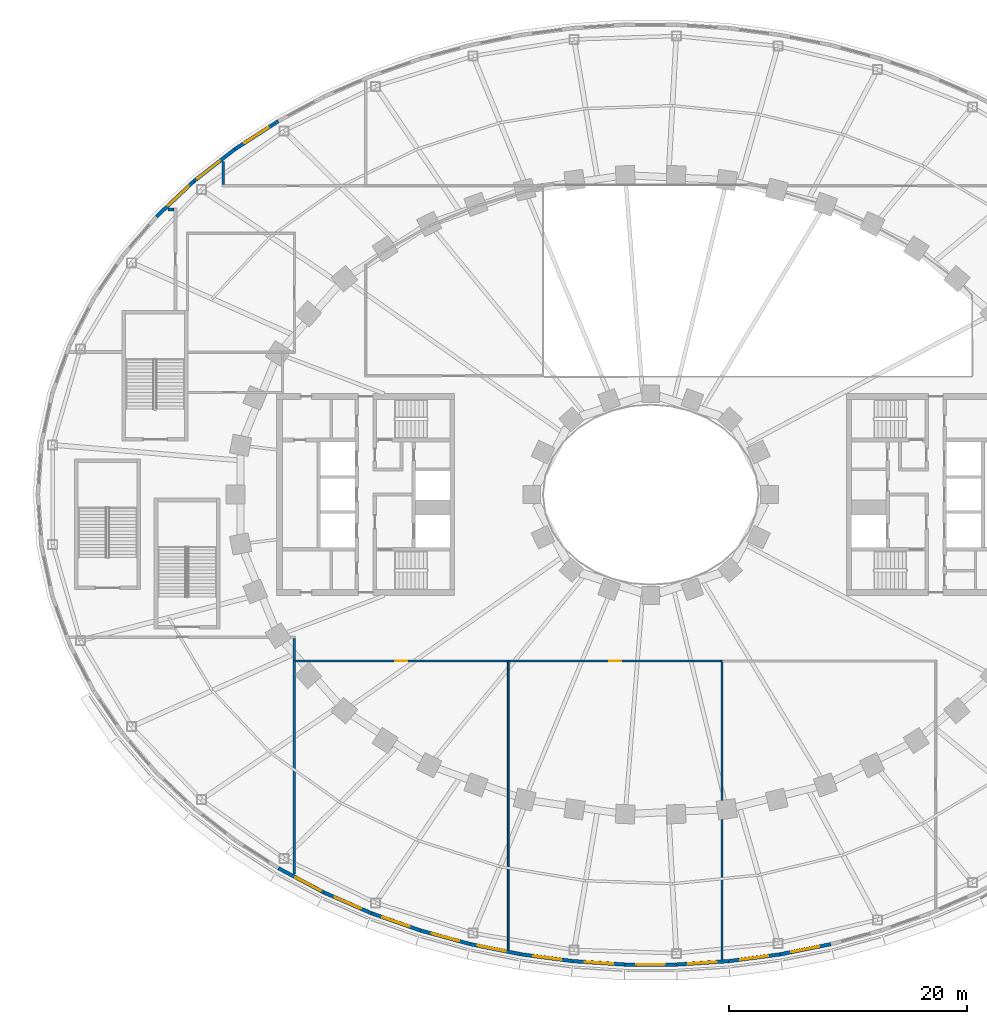
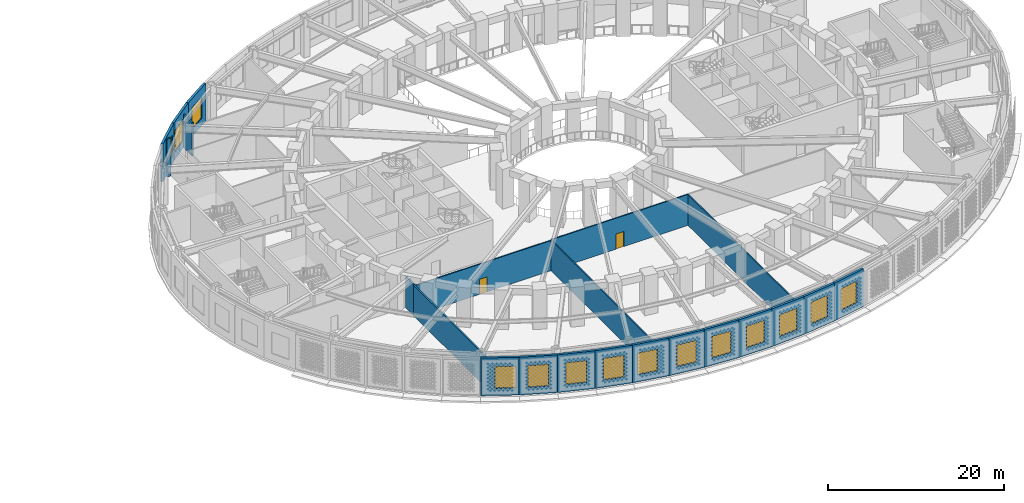
# One storey, part 16 of 69: 22 walls, 14 windows, 2 doors, 16 openings.
"""IFC4 building model written with IfcOpenShell, lengths in metres."""

from ifc_helpers import new_model, si_unit, direction, frame, frame_2d, origin, place, context, subcontext, project, spatial, rectangle, extrude, material, layer, layer_set, type_object, element, fill, save


model = new_model("IFC4")

# Units and contexts
model_context = context("Model", 3, precision=1e-05, world=origin(), true_north=direction((0.0, 1.0)))
body_context = subcontext(model_context, "Body", "Model", "MODEL_VIEW")
ifc_project = project(units=[si_unit("LENGTHUNIT", "METRE"), si_unit("AREAUNIT", "SQUARE_METRE"), si_unit("VOLUMEUNIT", "CUBIC_METRE"), si_unit("PLANEANGLEUNIT", "RADIAN"), si_unit("MASSUNIT", "GRAM", prefix="KILO")], contexts=[model_context])

# Site, building, storey
site_placement = place(None, origin())
site = spatial("IfcSite", under=ifc_project, at=site_placement, CompositionType="ELEMENT")
building_placement = place(site_placement, origin())
building = spatial("IfcBuilding", under=site, at=building_placement, Name="Noorbagh Ring Tower", CompositionType="ELEMENT")
storey_placement = place(building_placement, frame((0.0, 0.0, 19.5)))
storey = spatial("IfcBuildingStorey", under=building, at=storey_placement, Name="L03", CompositionType="ELEMENT", Elevation=19.5)

# Wall, opening, window
ifc_material_1 = material(Name="Blockwork faced with red sandstone", Category="masonry")
ifc_layer_1 = layer(ifc_material_1, 0.300048828125)
ifc_layer_set_1 = layer_set([ifc_layer_1], Name="Blockwork faced with red sandstone")
wall_type_1 = type_object("IfcWallType", Name="GND-ENV-WALL", PredefinedType="SOLIDWALL", material=ifc_layer_set_1)
wall_1_placement = place(storey_placement, frame((-31.3515625, 31.448486328125, 0.0), z_axis=(0.0, 0.0, 1.0), x_axis=(-0.840047348843, -0.542513088969, 0.0)))
wall_1 = element("IfcWall", 1, at=wall_1_placement, inside=storey, type_object=wall_type_1, Name="Podium wall", PredefinedType="SOLIDWALL", context=body_context, shape_type="SweptSolid", body=[
    extrude(rectangle(XDim=4.362060546875, YDim=0.300048828125, at=frame_2d((2.18115234375, 0.0))), origin(), (0.0, 0.0, 1.0), 5.25),
])
opening_1_placement = place(wall_1_placement, frame((0.98095703125, 0.0, 1.0)))
opening_1 = element("IfcOpeningElement", 2, at=opening_1_placement, cuts=wall_1, Name="Opening GWN1", PredefinedType="OPENING", context=body_context, shape_type="SweptSolid", body=[
    extrude(rectangle(XDim=2.39990234375, YDim=3.0, at=frame_2d((1.199951171875, 1.5))), frame((0.0, 0.16015625, 0.0), z_axis=(0.0, -1.0, 0.0), x_axis=(1.0, 0.0, 0.0)), (0.0, 0.0, 1.0), 0.320068359375),
])
ifc_material_2 = material(Name="Aluminium and glass", Category="aluminium")
window_type = type_object("IfcWindowType", Name="GND-ENV-WINDOW", PartitioningType="SINGLE_PANEL", PredefinedType="WINDOW", material=ifc_material_2)
window_1_placement = place(opening_1_placement, origin())
window_1 = element("IfcWindow", 3, at=window_1_placement, inside=storey, type_object=window_type, Name="L03 podium window", OverallHeight=3.0, OverallWidth=2.39990234375, PartitioningType="SINGLE_PANEL", PredefinedType="WINDOW", context=body_context, shape_type="SweptSolid", body=[
    extrude(rectangle(XDim=2.39990234375, YDim=3.0, at=frame_2d((1.199951171875, 1.5))), frame((0.0, 0.030029296875, 0.0), z_axis=(0.0, -1.0, 0.0), x_axis=(1.0, 0.0, 0.0)), (0.0, 0.0, 1.0), 0.06005859375),
])
fill(opening_1, window_1)

wall_2_placement = place(storey_placement, frame((-35.015869140625, 29.08203125, 0.0), z_axis=(0.0, 0.0, 1.0), x_axis=(-0.788491985196, -0.615045030288, 0.0)))
wall_2 = element("IfcWall", 4, at=wall_2_placement, inside=storey, type_object=wall_type_1, Name="Podium wall", PredefinedType="SOLIDWALL", context=body_context, shape_type="SweptSolid", body=[
    extrude(rectangle(XDim=4.359375, YDim=0.300048828125, at=frame_2d((2.1796875, 0.0))), origin(), (0.0, 0.0, 1.0), 5.25),
])
opening_2_placement = place(wall_2_placement, frame((1.609619140625, 0.0, 1.0)))
opening_2 = element("IfcOpeningElement", 5, at=opening_2_placement, cuts=wall_2, Name="Opening GWN1", PredefinedType="OPENING", context=body_context, shape_type="SweptSolid", body=[
    extrude(rectangle(XDim=2.39990234375, YDim=3.0, at=frame_2d((1.199951171875, 1.5))), frame((0.0, 0.16015625, 0.0), z_axis=(0.0, -1.0, 0.0), x_axis=(1.0, 0.0, 0.0)), (0.0, 0.0, 1.0), 0.320068359375),
])
window_2_placement = place(opening_2_placement, origin())
window_2 = element("IfcWindow", 6, at=window_2_placement, inside=storey, type_object=window_type, Name="L03 podium window", OverallHeight=3.0, OverallWidth=2.39990234375, PartitioningType="SINGLE_PANEL", PredefinedType="WINDOW", context=body_context, shape_type="SweptSolid", body=[
    extrude(rectangle(XDim=2.39990234375, YDim=3.0, at=frame_2d((1.199951171875, 1.5))), frame((0.0, 0.030029296875, 0.0), z_axis=(0.0, -1.0, 0.0), x_axis=(1.0, 0.0, 0.0)), (0.0, 0.0, 1.0), 0.06005859375),
])
fill(opening_2, window_2)

wall_3_placement = place(storey_placement, frame((-38.453125, 26.40087890625, 0.0), z_axis=(0.0, 0.0, 1.0), x_axis=(-0.72620446032, -0.687478786444, 0.0)))
wall_3 = element("IfcWall", 7, at=wall_3_placement, inside=storey, type_object=wall_type_1, Name="Podium wall", PredefinedType="SOLIDWALL", context=body_context, shape_type="SweptSolid", body=[
    extrude(rectangle(XDim=4.356201171875, YDim=0.300048828125, at=frame_2d((2.17822265625, 0.0))), origin(), (0.0, 0.0, 1.0), 5.25),
])
opening_3_placement = place(wall_3_placement, frame((0.608154296875, 0.0, 1.0)))
opening_3 = element("IfcOpeningElement", 8, at=opening_3_placement, cuts=wall_3, Name="Opening GWN1", PredefinedType="OPENING", context=body_context, shape_type="SweptSolid", body=[
    extrude(rectangle(XDim=2.39990234375, YDim=3.0, at=frame_2d((1.199951171875, 1.5))), frame((0.0, 0.16015625, 0.0), z_axis=(0.0, -1.0, 0.0), x_axis=(1.0, 0.0, 0.0)), (0.0, 0.0, 1.0), 0.320068359375),
])
window_3_placement = place(opening_3_placement, origin())
window_3 = element("IfcWindow", 9, at=window_3_placement, inside=storey, type_object=window_type, Name="L03 podium window", OverallHeight=3.0, OverallWidth=2.39990234375, PartitioningType="SINGLE_PANEL", PredefinedType="WINDOW", context=body_context, shape_type="SweptSolid", body=[
    extrude(rectangle(XDim=2.39990234375, YDim=3.0, at=frame_2d((1.199951171875, 1.5))), frame((0.0, 0.030029296875, 0.0), z_axis=(0.0, -1.0, 0.0), x_axis=(1.0, 0.0, 0.0)), (0.0, 0.0, 1.0), 0.06005859375),
])
fill(opening_3, window_3)

wall_4_placement = place(storey_placement, frame((-31.3515625, -31.448486328125, 0.0), z_axis=(0.0, 0.0, 1.0), x_axis=(0.882159305704, -0.47095112205, 0.0)))
wall_4 = element("IfcWall", 10, at=wall_4_placement, inside=storey, type_object=wall_type_1, Name="Podium wall", PredefinedType="SOLIDWALL", context=body_context, shape_type="SweptSolid", body=[
    extrude(rectangle(XDim=4.364501953125, YDim=0.300048828125, at=frame_2d((2.18212890625, 0.0))), origin(), (0.0, 0.0, 1.0), 5.25),
])
opening_4_placement = place(wall_4_placement, frame((1.64208984375, 0.0, 1.0)))
opening_4 = element("IfcOpeningElement", 11, at=opening_4_placement, cuts=wall_4, Name="Opening GWN1", PredefinedType="OPENING", context=body_context, shape_type="SweptSolid", body=[
    extrude(rectangle(XDim=2.39990234375, YDim=3.0, at=frame_2d((1.199951171875, 1.5))), frame((0.0, 0.16015625, 0.0), z_axis=(0.0, -1.0, 0.0), x_axis=(1.0, 0.0, 0.0)), (0.0, 0.0, 1.0), 0.320068359375),
])
window_4_placement = place(opening_4_placement, origin())
window_4 = element("IfcWindow", 12, at=window_4_placement, inside=storey, type_object=window_type, Name="L03 podium window", OverallHeight=3.0, OverallWidth=2.39990234375, PartitioningType="SINGLE_PANEL", PredefinedType="WINDOW", context=body_context, shape_type="SweptSolid", body=[
    extrude(rectangle(XDim=2.39990234375, YDim=3.0, at=frame_2d((1.199951171875, 1.5))), frame((0.0, 0.030029296875, 0.0), z_axis=(0.0, -1.0, 0.0), x_axis=(1.0, 0.0, 0.0)), (0.0, 0.0, 1.0), 0.06005859375),
])
fill(opening_4, window_4)

wall_5_placement = place(storey_placement, frame((-27.50146484375, -33.50390625, 0.0), z_axis=(0.0, 0.0, 1.0), x_axis=(0.916336904548, -0.400408138483, 0.0)))
wall_5 = element("IfcWall", 13, at=wall_5_placement, inside=storey, type_object=wall_type_1, Name="Podium wall", PredefinedType="SOLIDWALL", context=body_context, shape_type="SweptSolid", body=[
    extrude(rectangle(XDim=4.3662109375, YDim=0.300048828125, at=frame_2d((2.18310546875, 0.0))), origin(), (0.0, 0.0, 1.0), 5.25),
])
opening_5_placement = place(wall_5_placement, frame((0.983154296875, 0.0, 1.0)))
opening_5 = element("IfcOpeningElement", 14, at=opening_5_placement, cuts=wall_5, Name="Opening GWN1", PredefinedType="OPENING", context=body_context, shape_type="SweptSolid", body=[
    extrude(rectangle(XDim=2.39990234375, YDim=3.0, at=frame_2d((1.199951171875, 1.5))), frame((0.0, 0.16015625, 0.0), z_axis=(0.0, -1.0, 0.0), x_axis=(1.0, 0.0, 0.0)), (0.0, 0.0, 1.0), 0.320068359375),
])
window_5_placement = place(opening_5_placement, origin())
window_5 = element("IfcWindow", 15, at=window_5_placement, inside=storey, type_object=window_type, Name="L03 podium window", OverallHeight=3.0, OverallWidth=2.39990234375, PartitioningType="SINGLE_PANEL", PredefinedType="WINDOW", context=body_context, shape_type="SweptSolid", body=[
    extrude(rectangle(XDim=2.39990234375, YDim=3.0, at=frame_2d((1.199951171875, 1.5))), frame((0.0, 0.030029296875, 0.0), z_axis=(0.0, -1.0, 0.0), x_axis=(1.0, 0.0, 0.0)), (0.0, 0.0, 1.0), 0.06005859375),
])
fill(opening_5, window_5)

wall_6_placement = place(storey_placement, frame((-23.50048828125, -35.252197265625, 0.0), z_axis=(0.0, 0.0, 1.0), x_axis=(0.943526738033, -0.331296384853, 0.0)))
wall_6 = element("IfcWall", 16, at=wall_6_placement, inside=storey, type_object=wall_type_1, Name="Podium wall", PredefinedType="SOLIDWALL", context=body_context, shape_type="SweptSolid", body=[
    extrude(rectangle(XDim=4.36767578125, YDim=0.300048828125, at=frame_2d((2.183837890625, 0.0))), origin(), (0.0, 0.0, 1.0), 5.25),
])
opening_6_placement = place(wall_6_placement, frame((0.98388671875, 0.0, 1.0)))
opening_6 = element("IfcOpeningElement", 17, at=opening_6_placement, cuts=wall_6, Name="Opening GWN1", PredefinedType="OPENING", context=body_context, shape_type="SweptSolid", body=[
    extrude(rectangle(XDim=2.39990234375, YDim=3.0, at=frame_2d((1.199951171875, 1.5))), frame((0.0, 0.16015625, 0.0), z_axis=(0.0, -1.0, 0.0), x_axis=(1.0, 0.0, 0.0)), (0.0, 0.0, 1.0), 0.320068359375),
])
window_6_placement = place(opening_6_placement, origin())
window_6 = element("IfcWindow", 18, at=window_6_placement, inside=storey, type_object=window_type, Name="L03 podium window", OverallHeight=3.0, OverallWidth=2.39990234375, PartitioningType="SINGLE_PANEL", PredefinedType="WINDOW", context=body_context, shape_type="SweptSolid", body=[
    extrude(rectangle(XDim=2.39990234375, YDim=3.0, at=frame_2d((1.199951171875, 1.5))), frame((0.0, 0.030029296875, 0.0), z_axis=(0.0, -1.0, 0.0), x_axis=(1.0, 0.0, 0.0)), (0.0, 0.0, 1.0), 0.06005859375),
])
fill(opening_6, window_6)

wall_7_placement = place(storey_placement, frame((-19.37939453125, -36.69921875, 0.0), z_axis=(0.0, 0.0, 1.0), x_axis=(0.964679950239, -0.263424739931, 0.0)))
wall_7 = element("IfcWall", 19, at=wall_7_placement, inside=storey, type_object=wall_type_1, Name="Podium wall", PredefinedType="SOLIDWALL", context=body_context, shape_type="SweptSolid", body=[
    extrude(rectangle(XDim=4.368896484375, YDim=0.300048828125, at=frame_2d((2.1845703125, 0.0))), origin(), (0.0, 0.0, 1.0), 5.25),
])
opening_7_placement = place(wall_7_placement, frame((0.984619140625, 0.0, 1.0)))
opening_7 = element("IfcOpeningElement", 20, at=opening_7_placement, cuts=wall_7, Name="Opening GWN1", PredefinedType="OPENING", context=body_context, shape_type="SweptSolid", body=[
    extrude(rectangle(XDim=2.39990234375, YDim=3.0, at=frame_2d((1.199951171875, 1.5))), frame((0.0, 0.16015625, 0.0), z_axis=(0.0, -1.0, 0.0), x_axis=(1.0, 0.0, 0.0)), (0.0, 0.0, 1.0), 0.320068359375),
])
window_7_placement = place(opening_7_placement, origin())
window_7 = element("IfcWindow", 21, at=window_7_placement, inside=storey, type_object=window_type, Name="L03 podium window", OverallHeight=3.0, OverallWidth=2.39990234375, PartitioningType="SINGLE_PANEL", PredefinedType="WINDOW", context=body_context, shape_type="SweptSolid", body=[
    extrude(rectangle(XDim=2.39990234375, YDim=3.0, at=frame_2d((1.199951171875, 1.5))), frame((0.0, 0.030029296875, 0.0), z_axis=(0.0, -1.0, 0.0), x_axis=(1.0, 0.0, 0.0)), (0.0, 0.0, 1.0), 0.06005859375),
])
fill(opening_7, window_7)

wall_8_placement = place(storey_placement, frame((-2.185546875, -39.564208984375, 0.0), z_axis=(0.0, 0.0, 1.0), x_axis=(1.0, 0.0, 0.0)))
wall_8 = element("IfcWall", 22, at=wall_8_placement, inside=storey, type_object=wall_type_1, Name="Podium wall", PredefinedType="SOLIDWALL", context=body_context, shape_type="SweptSolid", body=[
    extrude(rectangle(XDim=4.37109375, YDim=0.300048828125, at=frame_2d((2.185546875, 0.0))), origin(), (0.0, 0.0, 1.0), 5.25),
])
opening_8_placement = place(wall_8_placement, frame((0.985595703125, 0.0, 1.0)))
opening_8 = element("IfcOpeningElement", 23, at=opening_8_placement, cuts=wall_8, Name="Opening GWN1", PredefinedType="OPENING", context=body_context, shape_type="SweptSolid", body=[
    extrude(rectangle(XDim=2.39990234375, YDim=3.0, at=frame_2d((1.199951171875, 1.5))), frame((0.0, 0.16015625, 0.0), z_axis=(0.0, -1.0, 0.0), x_axis=(1.0, 0.0, 0.0)), (0.0, 0.0, 1.0), 0.320068359375),
])
window_8_placement = place(opening_8_placement, origin())
window_8 = element("IfcWindow", 24, at=window_8_placement, inside=storey, type_object=window_type, Name="L03 podium window", OverallHeight=3.0, OverallWidth=2.39990234375, PartitioningType="SINGLE_PANEL", PredefinedType="WINDOW", context=body_context, shape_type="SweptSolid", body=[
    extrude(rectangle(XDim=2.39990234375, YDim=3.0, at=frame_2d((1.199951171875, 1.5))), frame((0.0, 0.030029296875, 0.0), z_axis=(0.0, -1.0, 0.0), x_axis=(1.0, 0.0, 0.0)), (0.0, 0.0, 1.0), 0.06005859375),
])
fill(opening_8, window_8)

wall_9_placement = place(storey_placement, frame((2.185546875, -39.564208984375, 0.0), z_axis=(0.0, 0.0, 1.0), x_axis=(0.997876871627, 0.065128711577, 0.0)))
wall_9 = element("IfcWall", 25, at=wall_9_placement, inside=storey, type_object=wall_type_1, Name="Podium wall", PredefinedType="SOLIDWALL", context=body_context, shape_type="SweptSolid", body=[
    extrude(rectangle(XDim=4.370849609375, YDim=0.300048828125, at=frame_2d((2.185546875, 0.0))), origin(), (0.0, 0.0, 1.0), 5.25),
])
opening_9_placement = place(wall_9_placement, frame((0.9853515625, 0.0, 1.0)))
opening_9 = element("IfcOpeningElement", 26, at=opening_9_placement, cuts=wall_9, Name="Opening GWN1", PredefinedType="OPENING", context=body_context, shape_type="SweptSolid", body=[
    extrude(rectangle(XDim=2.39990234375, YDim=3.0, at=frame_2d((1.199951171875, 1.5))), frame((0.0, 0.16015625, 0.0), z_axis=(0.0, -1.0, 0.0), x_axis=(1.0, 0.0, 0.0)), (0.0, 0.0, 1.0), 0.320068359375),
])
window_9_placement = place(opening_9_placement, origin())
window_9 = element("IfcWindow", 27, at=window_9_placement, inside=storey, type_object=window_type, Name="L03 podium window", OverallHeight=3.0, OverallWidth=2.39990234375, PartitioningType="SINGLE_PANEL", PredefinedType="WINDOW", context=body_context, shape_type="SweptSolid", body=[
    extrude(rectangle(XDim=2.39990234375, YDim=3.0, at=frame_2d((1.199951171875, 1.5))), frame((0.0, 0.030029296875, 0.0), z_axis=(0.0, -1.0, 0.0), x_axis=(1.0, 0.0, 0.0)), (0.0, 0.0, 1.0), 0.06005859375),
])
fill(opening_9, window_9)

wall_10_placement = place(storey_placement, frame((6.547119140625, -39.279541015625, 0.0), z_axis=(0.0, 0.0, 1.0), x_axis=(0.991441741932, 0.130549884544, 0.0)))
wall_10 = element("IfcWall", 28, at=wall_10_placement, inside=storey, type_object=wall_type_1, Name="Podium wall", PredefinedType="SOLIDWALL", context=body_context, shape_type="SweptSolid", body=[
    extrude(rectangle(XDim=4.370361328125, YDim=0.300048828125, at=frame_2d((2.18505859375, 0.0))), origin(), (0.0, 0.0, 1.0), 5.25),
])
opening_10_placement = place(wall_10_placement, frame((0.985107421875, 0.0, 1.0)))
opening_10 = element("IfcOpeningElement", 29, at=opening_10_placement, cuts=wall_10, Name="Opening GWN1", PredefinedType="OPENING", context=body_context, shape_type="SweptSolid", body=[
    extrude(rectangle(XDim=2.39990234375, YDim=3.0, at=frame_2d((1.199951171875, 1.5))), frame((0.0, 0.16015625, 0.0), z_axis=(0.0, -1.0, 0.0), x_axis=(1.0, 0.0, 0.0)), (0.0, 0.0, 1.0), 0.320068359375),
])
window_10_placement = place(opening_10_placement, origin())
window_10 = element("IfcWindow", 30, at=window_10_placement, inside=storey, type_object=window_type, Name="L03 podium window", OverallHeight=3.0, OverallWidth=2.39990234375, PartitioningType="SINGLE_PANEL", PredefinedType="WINDOW", context=body_context, shape_type="SweptSolid", body=[
    extrude(rectangle(XDim=2.39990234375, YDim=3.0, at=frame_2d((1.199951171875, 1.5))), frame((0.0, 0.030029296875, 0.0), z_axis=(0.0, -1.0, 0.0), x_axis=(1.0, 0.0, 0.0)), (0.0, 0.0, 1.0), 0.06005859375),
])
fill(opening_10, window_10)

wall_11_placement = place(storey_placement, frame((10.880126953125, -38.708984375, 0.0), z_axis=(0.0, 0.0, 1.0), x_axis=(0.980494629762, 0.196545875071, 0.0)))
wall_11 = element("IfcWall", 31, at=wall_11_placement, inside=storey, type_object=wall_type_1, Name="Podium wall", PredefinedType="SOLIDWALL", context=body_context, shape_type="SweptSolid", body=[
    extrude(rectangle(XDim=4.369873046875, YDim=0.300048828125, at=frame_2d((2.18505859375, 0.0))), origin(), (0.0, 0.0, 1.0), 5.25),
])
opening_11_placement = place(wall_11_placement, frame((0.98486328125, 0.0, 1.0)))
opening_11 = element("IfcOpeningElement", 32, at=opening_11_placement, cuts=wall_11, Name="Opening GWN1", PredefinedType="OPENING", context=body_context, shape_type="SweptSolid", body=[
    extrude(rectangle(XDim=2.39990234375, YDim=3.0, at=frame_2d((1.199951171875, 1.5))), frame((0.0, 0.16015625, 0.0), z_axis=(0.0, -1.0, 0.0), x_axis=(1.0, 0.0, 0.0)), (0.0, 0.0, 1.0), 0.320068359375),
])
window_11_placement = place(opening_11_placement, origin())
window_11 = element("IfcWindow", 33, at=window_11_placement, inside=storey, type_object=window_type, Name="L03 podium window", OverallHeight=3.0, OverallWidth=2.39990234375, PartitioningType="SINGLE_PANEL", PredefinedType="WINDOW", context=body_context, shape_type="SweptSolid", body=[
    extrude(rectangle(XDim=2.39990234375, YDim=3.0, at=frame_2d((1.199951171875, 1.5))), frame((0.0, 0.030029296875, 0.0), z_axis=(0.0, -1.0, 0.0), x_axis=(1.0, 0.0, 0.0)), (0.0, 0.0, 1.0), 0.06005859375),
])
fill(opening_11, window_11)

ifc_material_3 = material(Name="Blockwork faced with red sandstone", Category="masonry")
ifc_layer_2 = layer(ifc_material_3, 0.300048828125)
ifc_layer_set_2 = layer_set([ifc_layer_2], Name="Blockwork faced with red sandstone")
wall_type_2 = type_object("IfcWallType", Name="GND-ENV-WALL-EI120", PredefinedType="SOLIDWALL", material=ifc_layer_set_2)
wall_12_placement = place(storey_placement, frame((-15.164794921875, -37.85009765625, 0.0), z_axis=(0.0, 0.0, 1.0), x_axis=(0.980494629762, -0.196545875071, 0.0)))
wall_12 = element("IfcWall", 34, at=wall_12_placement, inside=storey, type_object=wall_type_2, Name="Podium wall", PredefinedType="SOLIDWALL", context=body_context, shape_type="SweptSolid", body=[
    extrude(rectangle(XDim=4.369873046875, YDim=0.300048828125, at=frame_2d((2.18505859375, 0.0))), origin(), (0.0, 0.0, 1.0), 5.25),
])
opening_12_placement = place(wall_12_placement, frame((0.614990234375, 0.0, 1.0)))
opening_12 = element("IfcOpeningElement", 35, at=opening_12_placement, cuts=wall_12, Name="Opening GWN1", PredefinedType="OPENING", context=body_context, shape_type="SweptSolid", body=[
    extrude(rectangle(XDim=2.39990234375, YDim=3.0, at=frame_2d((1.199951171875, 1.5))), frame((0.0, 0.16015625, 0.0), z_axis=(0.0, -1.0, 0.0), x_axis=(1.0, 0.0, 0.0)), (0.0, 0.0, 1.0), 0.320068359375),
])
window_12_placement = place(opening_12_placement, origin())
window_12 = element("IfcWindow", 36, at=window_12_placement, inside=storey, type_object=window_type, Name="L03 podium window", OverallHeight=3.0, OverallWidth=2.39990234375, PartitioningType="SINGLE_PANEL", PredefinedType="WINDOW", context=body_context, shape_type="SweptSolid", body=[
    extrude(rectangle(XDim=2.39990234375, YDim=3.0, at=frame_2d((1.199951171875, 1.5))), frame((0.0, 0.030029296875, 0.0), z_axis=(0.0, -1.0, 0.0), x_axis=(1.0, 0.0, 0.0)), (0.0, 0.0, 1.0), 0.06005859375),
])
fill(opening_12, window_12)

wall_13_placement = place(storey_placement, frame((-10.880126953125, -38.708984375, 0.0), z_axis=(0.0, 0.0, 1.0), x_axis=(0.991441741932, -0.130549884544, 0.0)))
wall_13 = element("IfcWall", 37, at=wall_13_placement, inside=storey, type_object=wall_type_2, Name="Podium wall", PredefinedType="SOLIDWALL", context=body_context, shape_type="SweptSolid", body=[
    extrude(rectangle(XDim=4.370361328125, YDim=0.300048828125, at=frame_2d((2.18505859375, 0.0))), origin(), (0.0, 0.0, 1.0), 5.25),
])
opening_13_placement = place(wall_13_placement, frame((0.985107421875, 0.0, 1.0)))
opening_13 = element("IfcOpeningElement", 38, at=opening_13_placement, cuts=wall_13, Name="Opening GWN1", PredefinedType="OPENING", context=body_context, shape_type="SweptSolid", body=[
    extrude(rectangle(XDim=2.39990234375, YDim=3.0, at=frame_2d((1.199951171875, 1.5))), frame((0.0, 0.16015625, 0.0), z_axis=(0.0, -1.0, 0.0), x_axis=(1.0, 0.0, 0.0)), (0.0, 0.0, 1.0), 0.320068359375),
])
window_13_placement = place(opening_13_placement, origin())
window_13 = element("IfcWindow", 39, at=window_13_placement, inside=storey, type_object=window_type, Name="L03 podium window", OverallHeight=3.0, OverallWidth=2.39990234375, PartitioningType="SINGLE_PANEL", PredefinedType="WINDOW", context=body_context, shape_type="SweptSolid", body=[
    extrude(rectangle(XDim=2.39990234375, YDim=3.0, at=frame_2d((1.199951171875, 1.5))), frame((0.0, 0.030029296875, 0.0), z_axis=(0.0, -1.0, 0.0), x_axis=(1.0, 0.0, 0.0)), (0.0, 0.0, 1.0), 0.06005859375),
])
fill(opening_13, window_13)

wall_14_placement = place(storey_placement, frame((-6.547119140625, -39.279541015625, 0.0), z_axis=(0.0, 0.0, 1.0), x_axis=(0.997876871627, -0.065128711577, 0.0)))
wall_14 = element("IfcWall", 40, at=wall_14_placement, inside=storey, type_object=wall_type_2, Name="Podium wall", PredefinedType="SOLIDWALL", context=body_context, shape_type="SweptSolid", body=[
    extrude(rectangle(XDim=4.370849609375, YDim=0.300048828125, at=frame_2d((2.185546875, 0.0))), origin(), (0.0, 0.0, 1.0), 5.25),
])
opening_14_placement = place(wall_14_placement, frame((0.9853515625, 0.0, 1.0)))
opening_14 = element("IfcOpeningElement", 41, at=opening_14_placement, cuts=wall_14, Name="Opening GWN1", PredefinedType="OPENING", context=body_context, shape_type="SweptSolid", body=[
    extrude(rectangle(XDim=2.39990234375, YDim=3.0, at=frame_2d((1.199951171875, 1.5))), frame((0.0, 0.16015625, 0.0), z_axis=(0.0, -1.0, 0.0), x_axis=(1.0, 0.0, 0.0)), (0.0, 0.0, 1.0), 0.320068359375),
])
window_14_placement = place(opening_14_placement, origin())
window_14 = element("IfcWindow", 42, at=window_14_placement, inside=storey, type_object=window_type, Name="L03 podium window", OverallHeight=3.0, OverallWidth=2.39990234375, PartitioningType="SINGLE_PANEL", PredefinedType="WINDOW", context=body_context, shape_type="SweptSolid", body=[
    extrude(rectangle(XDim=2.39990234375, YDim=3.0, at=frame_2d((1.199951171875, 1.5))), frame((0.0, 0.030029296875, 0.0), z_axis=(0.0, -1.0, 0.0), x_axis=(1.0, 0.0, 0.0)), (0.0, 0.0, 1.0), 0.06005859375),
])
fill(opening_14, window_14)

# Wall
ifc_material_4 = material(Name="Gypsum board on steel studs", Category="steel")
ifc_layer_3 = layer(ifc_material_4, 0.14990234375)
ifc_layer_set_3 = layer_set([ifc_layer_3], Name="Gypsum board on steel studs")
wall_type_3 = type_object("IfcWallType", Name="GND-PART-150", PredefinedType="PARTITIONING", material=ifc_layer_set_3)
wall_15_placement = place(storey_placement, frame((-12.0, -13.925048828125, 0.0), z_axis=(0.0, 0.0, 1.0), x_axis=(0.0, -1.0, 0.0)))
element("IfcWall", 43, at=wall_15_placement, inside=storey, type_object=wall_type_3, Name="L03/wall/P016", PredefinedType="PARTITIONING", context=body_context, shape_type="SweptSolid", body=[
    extrude(rectangle(XDim=24.400390625, YDim=0.14990234375, at=frame_2d((12.2001953125, 0.0))), origin(), (0.0, 0.0, 1.0), 4.25),
])

# Wall, opening, door
wall_16_placement = place(storey_placement, frame((-29.89990234375, -14.0, 0.0), z_axis=(0.0, 0.0, 1.0), x_axis=(1.0, 0.0, 0.0)))
wall_16 = element("IfcWall", 44, at=wall_16_placement, inside=storey, type_object=wall_type_3, Name="L03/wall/P018", PredefinedType="PARTITIONING", context=body_context, shape_type="SweptSolid", body=[
    extrude(rectangle(XDim=17.824951171875, YDim=0.14990234375, at=frame_2d((8.91259765625, 0.0))), origin(), (0.0, 0.0, 1.0), 4.199951171875),
])
opening_15_placement = place(wall_16_placement, frame((8.41259765625, 0.0, 0.0)))
opening_15 = element("IfcOpeningElement", 45, at=opening_15_placement, cuts=wall_16, Name="Opening GD6", PredefinedType="OPENING", context=body_context, shape_type="SweptSolid", body=[
    extrude(rectangle(XDim=1.0, YDim=2.10009765625, at=frame_2d((0.5, 1.050048828125))), frame((0.0, 0.0849609375, 0.0), z_axis=(0.0, -1.0, 0.0), x_axis=(1.0, 0.0, 0.0)), (0.0, 0.0, 1.0), 0.169921875),
])
ifc_material_5 = material(Name="Timber", Category="wood")
door_type = type_object("IfcDoorType", Name="GND-DOOR-HALL", OperationType="SINGLE_SWING_LEFT", PredefinedType="DOOR", material=ifc_material_5)
door_1_placement = place(opening_15_placement, origin())
door_1 = element("IfcDoor", 46, at=door_1_placement, inside=storey, type_object=door_type, Name="Meeting room 1 door", OperationType="SINGLE_SWING_RIGHT", OverallHeight=2.10009765625, OverallWidth=1.0, PredefinedType="DOOR", context=body_context, shape_type="SweptSolid", body=[
    extrude(rectangle(XDim=1.0, YDim=2.10009765625, at=frame_2d((0.5, 1.050048828125))), frame((0.0, 0.02490234375, 0.0), z_axis=(0.0, -1.0, 0.0), x_axis=(1.0, 0.0, 0.0)), (0.0, 0.0, 1.0), 0.050048828125),
])
fill(opening_15, door_1)

# Wall
wall_17_placement = place(storey_placement, frame((6.0, -13.925048828125, 0.0), z_axis=(0.0, 0.0, 1.0), x_axis=(0.0, -1.0, 0.0)))
element("IfcWall", 47, at=wall_17_placement, inside=storey, type_object=wall_type_3, Name="L03/wall/P019", PredefinedType="PARTITIONING", context=body_context, shape_type="SweptSolid", body=[
    extrude(rectangle(XDim=25.23974609375, YDim=0.14990234375, at=frame_2d((12.619873046875, 0.0))), origin(), (0.0, 0.0, 1.0), 4.300048828125),
])

# Wall, opening, door
wall_18_placement = place(storey_placement, frame((-11.925048828125, -14.0, 0.0), z_axis=(0.0, 0.0, 1.0), x_axis=(1.0, 0.0, 0.0)))
wall_18 = element("IfcWall", 48, at=wall_18_placement, inside=storey, type_object=wall_type_3, Name="L03/wall/P020", PredefinedType="PARTITIONING", context=body_context, shape_type="SweptSolid", body=[
    extrude(rectangle(XDim=17.85009765625, YDim=0.14990234375, at=frame_2d((8.925048828125, 0.0))), origin(), (0.0, 0.0, 1.0), 4.300048828125),
])
opening_16_placement = place(wall_18_placement, frame((8.425048828125, 0.0, 0.0)))
opening_16 = element("IfcOpeningElement", 49, at=opening_16_placement, cuts=wall_18, Name="Opening GD6", PredefinedType="OPENING", context=body_context, shape_type="SweptSolid", body=[
    extrude(rectangle(XDim=1.0, YDim=2.10009765625, at=frame_2d((0.5, 1.050048828125))), frame((0.0, 0.0849609375, 0.0), z_axis=(0.0, -1.0, 0.0), x_axis=(1.0, 0.0, 0.0)), (0.0, 0.0, 1.0), 0.169921875),
])
door_2_placement = place(opening_16_placement, origin())
door_2 = element("IfcDoor", 50, at=door_2_placement, inside=storey, type_object=door_type, Name="Meeting room 2 door", OperationType="SINGLE_SWING_RIGHT", OverallHeight=2.10009765625, OverallWidth=1.0, PredefinedType="DOOR", context=body_context, shape_type="SweptSolid", body=[
    extrude(rectangle(XDim=1.0, YDim=2.10009765625, at=frame_2d((0.5, 1.050048828125))), frame((0.0, 0.02490234375, 0.0), z_axis=(0.0, -1.0, 0.0), x_axis=(1.0, 0.0, 0.0)), (0.0, 0.0, 1.0), 0.050048828125),
])
fill(opening_16, door_2)

# Walls
ifc_material_6 = material(Name="Reinforced blockwork", Category="masonry")
ifc_layer_4 = layer(ifc_material_6, 0.199951171875)
ifc_layer_set_4 = layer_set([ifc_layer_4], Name="Reinforced blockwork")
wall_type_4 = type_object("IfcWallType", Name="GND-PART-200", PredefinedType="PARTITIONING", material=ifc_layer_set_4)
wall_19_placement = place(storey_placement, frame((-36.0, 26.10009765625, 0.0), z_axis=(0.0, 0.0, 1.0), x_axis=(0.0, 1.0, 0.0)))
element("IfcWall", 51, at=wall_19_placement, inside=storey, type_object=wall_type_4, Name="L03/wall/P009", PredefinedType="PARTITIONING", context=body_context, shape_type="SweptSolid", body=[
    extrude(rectangle(XDim=1.9541015625, YDim=0.199951171875, at=frame_2d((0.97705078125, 0.0))), origin(), (0.0, 0.0, 1.0), 4.64990234375),
])
wall_20_placement = place(storey_placement, frame((-30.0, -31.9599609375, 0.0), z_axis=(0.0, 0.0, 1.0), x_axis=(0.0, 1.0, 0.0)))
element("IfcWall", 52, at=wall_20_placement, inside=storey, type_object=wall_type_4, Name="L03/wall/P017", PredefinedType="PARTITIONING", context=body_context, shape_type="SweptSolid", body=[
    extrude(rectangle(XDim=18.034912109375, YDim=0.199951171875, at=frame_2d((9.017578125, 0.0))), origin(), (0.0, 0.0, 1.0), 4.25),
])
wall_21_placement = place(storey_placement, frame((-30.0, -12.10009765625, 0.0), z_axis=(0.0, 0.0, 1.0), x_axis=(0.0, -1.0, 0.0)))
element("IfcWall", 53, at=wall_21_placement, inside=storey, type_object=wall_type_4, Name="L03/wall/P023", PredefinedType="PARTITIONING", context=body_context, shape_type="SweptSolid", body=[
    extrude(rectangle(XDim=1.825927734375, YDim=0.199951171875, at=frame_2d((0.9130859375, 0.0))), origin(), (0.0, 0.0, 1.0), 4.35009765625),
])
ifc_material_7 = material(Name="Reinforced blockwork", Category="masonry")
ifc_layer_5 = layer(ifc_material_7, 0.25)
ifc_layer_set_5 = layer_set([ifc_layer_5], Name="Reinforced blockwork")
wall_type_5 = type_object("IfcWallType", Name="GND-PART-250", PredefinedType="PARTITIONING", material=ifc_layer_set_5)
wall_22_placement = place(storey_placement, frame((-40.64599609375, 24.0, 0.0), z_axis=(0.0, 0.0, 1.0), x_axis=(1.0, 0.0, 0.0)))
element("IfcWall", 54, at=wall_22_placement, inside=storey, type_object=wall_type_5, Name="L03/wall/P026", PredefinedType="PARTITIONING", context=body_context, shape_type="SweptSolid", body=[
    extrude(rectangle(XDim=0.52099609375, YDim=0.25, at=frame_2d((0.260498046875, 0.0))), origin(), (0.0, 0.0, 1.0), 5.25),
])

save(model, "model.ifc")
